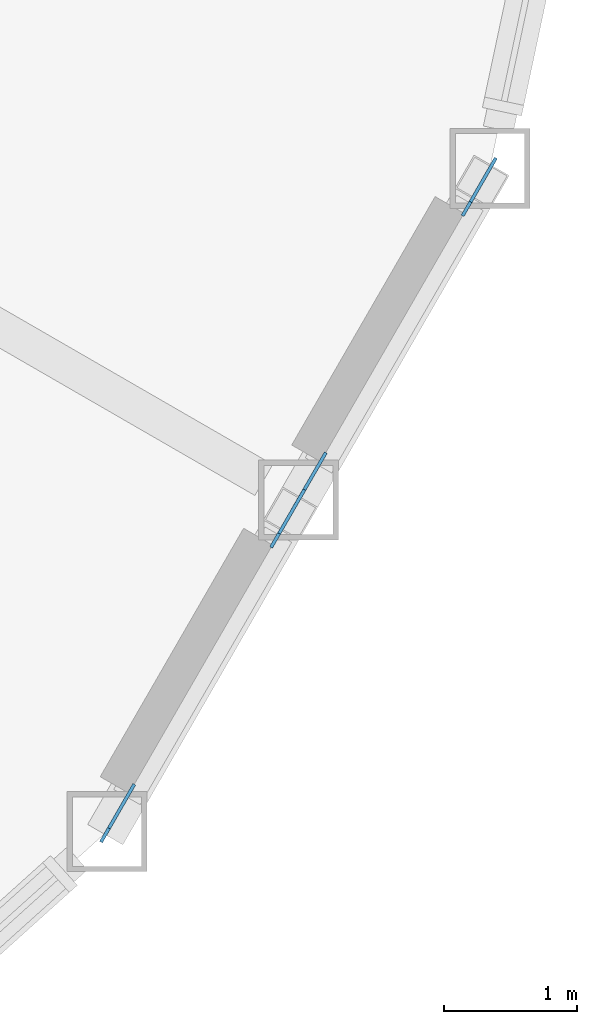
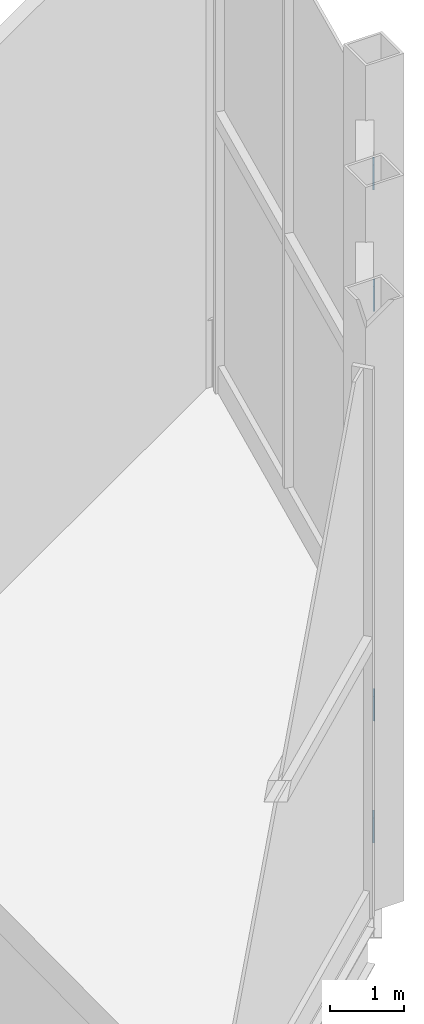
# One storey, part 13 of 18: 4 discrete accessories.
"""IFC4 building model written with IfcOpenShell, lengths in metres."""

from ifc_helpers import new_model, si_unit, direction, frame, origin, origin_2d, place, context, subcontext, project, spatial, rectangle, extrude, material, material_profile, profile_set, type_object, element, save


model = new_model("IFC4")

# Units and contexts
model_context = context("Model", 3, precision=1e-05, world=origin(), true_north=direction((0.0, 1.0)))
body_context = subcontext(model_context, "Body", "Model", "MODEL_VIEW")
ifc_project = project(units=[si_unit("LENGTHUNIT", "METRE"), si_unit("AREAUNIT", "SQUARE_METRE"), si_unit("VOLUMEUNIT", "CUBIC_METRE"), si_unit("PLANEANGLEUNIT", "RADIAN"), si_unit("MASSUNIT", "GRAM", prefix="KILO")], contexts=[model_context])

# Site, building, storey
site_placement = place(None, origin())
site = spatial("IfcSite", under=ifc_project, at=site_placement, CompositionType="ELEMENT")
building_placement = place(site_placement, origin())
building = spatial("IfcBuilding", under=site, at=building_placement, Name="Cormorant Prow Tower", CompositionType="ELEMENT")
storey_placement = place(building_placement, frame((0.0, 0.0, 346.0)))
storey = spatial("IfcBuildingStorey", under=building, at=storey_placement, Name="L78", CompositionType="ELEMENT", Elevation=346.0)

# Discrete accessories
ifc_material = material(Name="Structural steel ASTM A500 Gr C", Category="steel")
ifc_material_profile = material_profile(ifc_material, rectangle(XDim=0.02490234375, YDim=0.405029296875, at=origin_2d()), Name="Gusset plate 25x405")
ifc_profile_set = profile_set([ifc_material_profile], Name="Structural steel ASTM A500 Gr C")
discrete_accessory_type = type_object("IfcDiscreteAccessoryType", Name="Gusset plate 25x405", PredefinedType="BRACKET", material=ifc_profile_set)
for number, where, z_axis, x_axis, name in (
    (1, (26.105712890625, -18.135498046875, 1.2060546875), (-0.170904672713, -0.296467289401, -0.939626914876), (0.866355221147, -0.499428303955, 0.0), "Gusset plate GP3 L78.ESE00.g0"),
    (2, (27.32177734375, -16.029296875, 7.8818359375), (0.171581746653, 0.296431879381, 0.939514685943), (-0.865472755765, 0.500955995102, 0.0), "Gusset plate GP3 L78.ESE00.g1"),
    (3, (27.542724609375, -15.646728515625, 1.2060546875), (-0.171581746653, -0.296431879381, -0.939514685943), (0.865472755765, -0.500955995102, 0.0), "Gusset plate GP3 L78.ESE01.g0"),
    (4, (28.7587890625, -13.54052734375, 7.8818359375), (0.170904672713, 0.296467289401, 0.939626914876), (-0.866355221147, 0.499428303955, 0.0), "Gusset plate GP3 L78.ESE01.g1"),
):
    element("IfcDiscreteAccessory", number, at=place(storey_placement, frame(where, z_axis=z_axis, x_axis=x_axis)), inside=storey, type_object=discrete_accessory_type, Name=name, PredefinedType="BRACKET", context=body_context, shape_type="SweptSolid", body=[
        extrude(rectangle(XDim=0.02490234375, YDim=0.405029296875, at=origin_2d()), origin(), (0.0, 0.0, 1.0), 0.35009765625),
    ])

save(model, "model.ifc")
